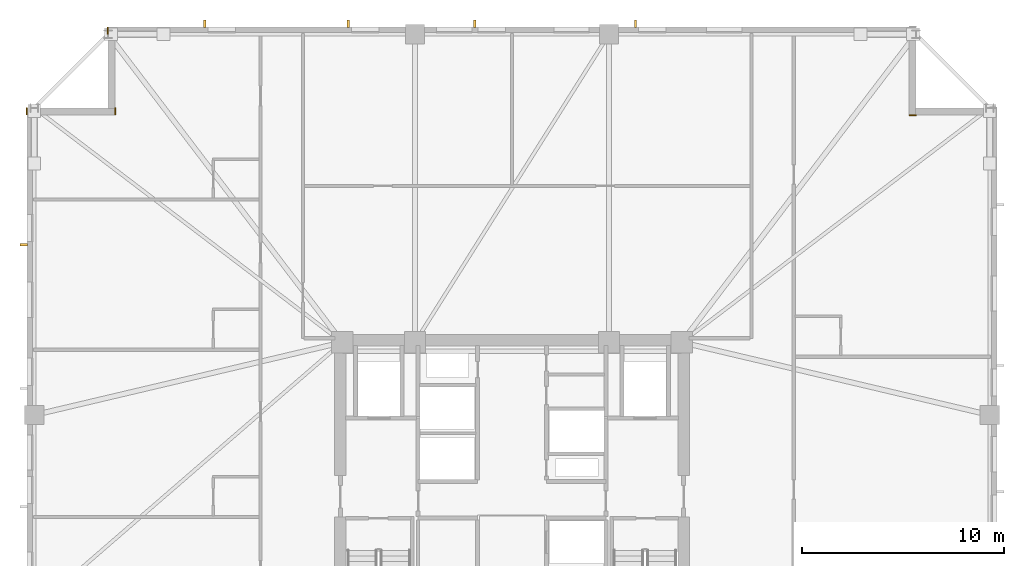
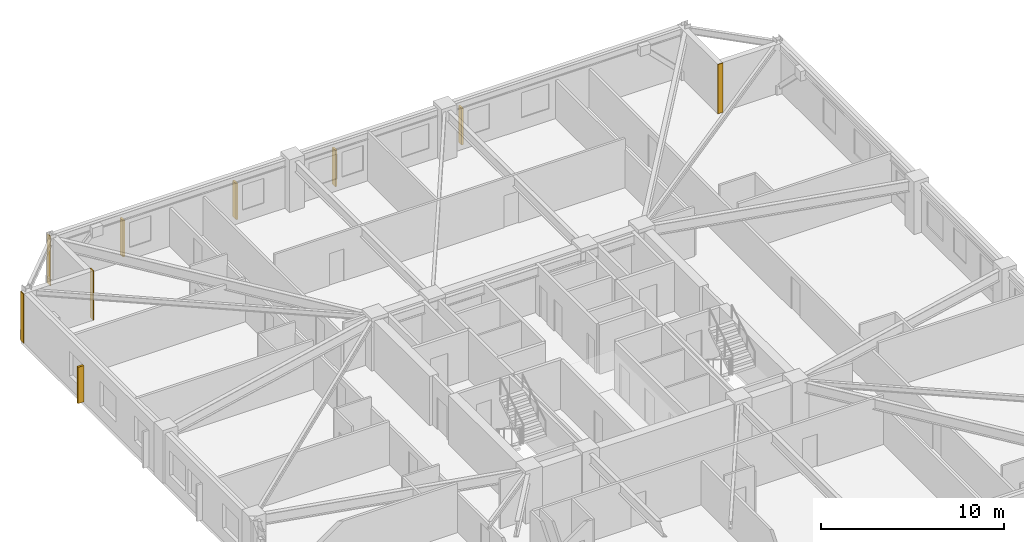
# One storey, part 10 of 11: 5 shading devices, 4 coverings.
"""IFC4 building model written with IfcOpenShell, lengths in metres."""

from ifc_helpers import new_model, si_unit, direction, frame, frame_2d, origin, origin_2d, place, context, subcontext, project, spatial, rectangle, extrude, material, layer, layer_set, type_object, element, save


model = new_model("IFC4")

# Units and contexts
model_context = context("Model", 3, precision=1e-05, world=origin(), true_north=direction((0.0, 1.0)))
body_context = subcontext(model_context, "Body", "Model", "MODEL_VIEW")
ifc_project = project(units=[si_unit("LENGTHUNIT", "METRE"), si_unit("AREAUNIT", "SQUARE_METRE"), si_unit("VOLUMEUNIT", "CUBIC_METRE"), si_unit("PLANEANGLEUNIT", "RADIAN"), si_unit("MASSUNIT", "GRAM", prefix="KILO")], contexts=[model_context])

# Site, building, storey
site_placement = place(None, origin())
site = spatial("IfcSite", under=ifc_project, at=site_placement, CompositionType="ELEMENT")
building_placement = place(site_placement, origin())
building = spatial("IfcBuilding", under=site, at=building_placement, Name="Cairnveth Concourse Tower", CompositionType="ELEMENT")
storey_placement = place(building_placement, frame((0.0, 0.0, 155.0)))
storey = spatial("IfcBuildingStorey", under=building, at=storey_placement, Name="L42", CompositionType="ELEMENT", Elevation=155.0)

# Coverings
ifc_material_1 = material(Name="Dressed Melbourne Bluestone Cladding", Category="masonry")
ifc_layer = layer(ifc_material_1, 0.050048828125)
ifc_layer_set = layer_set([ifc_layer], Name="Dressed Melbourne Bluestone Cladding")
covering_type = type_object("IfcCoveringType", Name="DRESSED BLUESTONE PLINTH CLADDING 50", PredefinedType="CLADDING", material=ifc_layer_set)
for number, where, z_axis, x_axis, name in (
    (1, (27.97998046875, 58.659912109375, 0.0), (0.0, 0.0, 1.0), (0.0, 1.0, 0.0), "Melbourne Bluestone Corner Quoin L42-615"),
    (2, (32.360107421875, 58.659912109375, 0.0), (0.0, 0.0, 1.0), (0.0, 1.0, 0.0), "Melbourne Bluestone Corner Quoin L42-616"),
    (3, (31.97998046875, 62.659912109375, 0.0), (0.0, 0.0, 1.0), (0.0, 1.0, 0.0), "Melbourne Bluestone Corner Quoin L42-617"),
    (4, (71.659912109375, 58.639892578125, 0.0), (0.0, 0.0, 1.0), (1.0, 0.0, 0.0), "Melbourne Bluestone Corner Quoin L42-619"),
):
    element("IfcCovering", number, at=place(storey_placement, frame(where, z_axis=z_axis, x_axis=x_axis)), inside=storey, type_object=covering_type, Name=name, PredefinedType="CLADDING", context=body_context, shape_type="SweptSolid", body=[
        extrude(rectangle(XDim=0.340087890625, YDim=0.050048828125, at=frame_2d((0.169921875, 0.0))), origin(), (0.0, 0.0, 1.0), 3.280029296875),
    ])

# Shading devices
ifc_material_2 = material(Name="Architectural Bronze Anodised Aluminium 6063-T6", Category="aluminium")
shading_device_type = type_object("IfcShadingDeviceType", Name="GOTHIC BRONZE VERTICAL LANCET FIN", PredefinedType="USERDEFINED", material=ifc_material_2)
for number, where, z_axis, x_axis, name in (
    (5, (27.824951171875, 52.22021484375, 0.030029296875), (0.0, 0.0, 1.0), (0.0, 1.0, 0.0), "Gothic Bronze Vertical Fin L42-3-9"),
    (6, (36.791748046875, 63.175048828125, 0.030029296875), (0.0, 0.0, 1.0), (1.0, 0.0, 0.0), "Gothic Bronze Vertical Fin L42-6-1"),
    (7, (43.89892578125, 63.175048828125, 0.030029296875), (0.0, 0.0, 1.0), (1.0, 0.0, 0.0), "Gothic Bronze Vertical Fin L42-6-3"),
    (8, (50.156005859375, 63.175048828125, 0.030029296875), (0.0, 0.0, 1.0), (1.0, 0.0, 0.0), "Gothic Bronze Vertical Fin L42-6-5"),
    (9, (58.113037109375, 63.175048828125, 0.030029296875), (0.0, 0.0, 1.0), (1.0, 0.0, 0.0), "Gothic Bronze Vertical Fin L42-6-7"),
):
    element("IfcShadingDevice", number, at=place(storey_placement, frame(where, z_axis=z_axis, x_axis=x_axis)), inside=storey, type_object=shading_device_type, Name=name, ObjectType="VERTICAL FIN", PredefinedType="USERDEFINED", context=body_context, shape_type="SweptSolid", body=[
        extrude(rectangle(XDim=0.1201171875, YDim=0.360107421875, at=origin_2d()), origin(), (0.0, 0.0, 1.0), 2.419921875),
    ])

save(model, "model.ifc")
